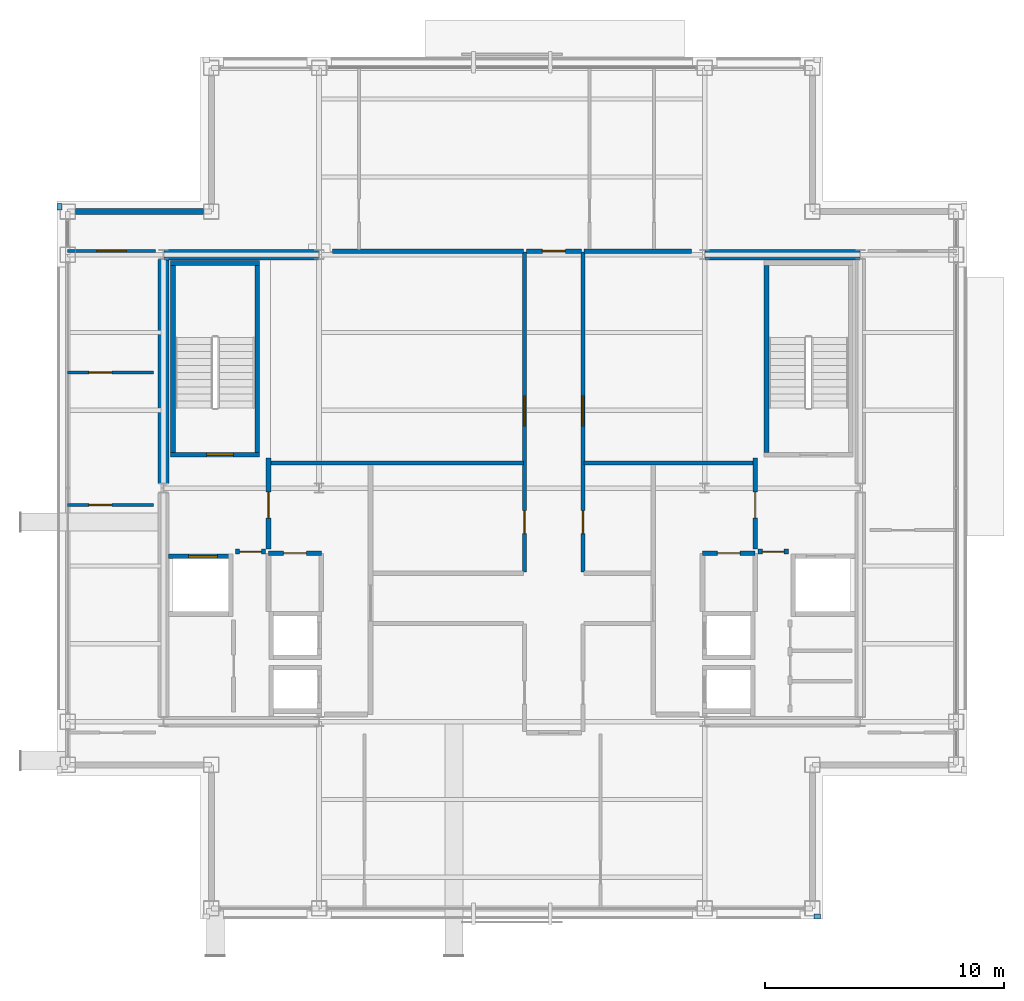
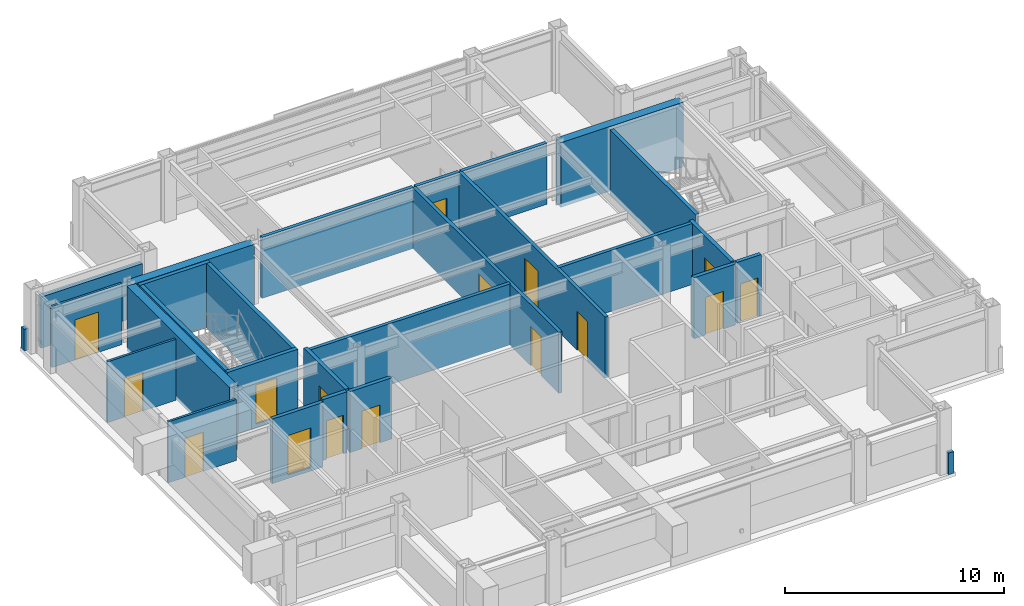
# One storey, part 18 of 20: 28 walls, 16 doors, 16 openings.
"""IFC4 building model written with IfcOpenShell, lengths in metres."""

from ifc_helpers import new_model, si_unit, direction, frame, frame_2d, origin, place, context, subcontext, project, spatial, rectangle, extrude, material, layer, layer_set, type_object, element, fill, save


model = new_model("IFC4")

# Units and contexts
model_context = context("Model", 3, precision=1e-05, world=origin(), true_north=direction((0.0, 1.0)))
body_context = subcontext(model_context, "Body", "Model", "MODEL_VIEW")
ifc_project = project(units=[si_unit("LENGTHUNIT", "METRE"), si_unit("AREAUNIT", "SQUARE_METRE"), si_unit("VOLUMEUNIT", "CUBIC_METRE"), si_unit("PLANEANGLEUNIT", "RADIAN"), si_unit("MASSUNIT", "GRAM", prefix="KILO")], contexts=[model_context])

# Site, building, storey
site_placement = place(None, origin())
site = spatial("IfcSite", under=ifc_project, at=site_placement, CompositionType="ELEMENT")
building_placement = place(site_placement, origin())
building = spatial("IfcBuilding", under=site, at=building_placement, Name="Brelmoor Portico Tower", CompositionType="ELEMENT")
storey_placement = place(building_placement, frame((0.0, 0.0, 243.60009765625)))
storey = spatial("IfcBuildingStorey", under=building, at=storey_placement, Name="L64", CompositionType="ELEMENT", Elevation=243.60009765625)

# Walls
ifc_material_1 = material(Name="Concrete C50", Category="concrete")
ifc_layer_1 = layer(ifc_material_1, 0.449951171875)
ifc_layer_set_1 = layer_set([ifc_layer_1], Name="Concrete C50")
wall_type_1 = type_object("IfcWallType", Name="WL-CORE-450", PredefinedType="SHEAR", material=ifc_layer_set_1)
wall_1_placement = place(storey_placement, frame((-14.530029296875, 9.75, -0.2001953125), z_axis=(0.0, 0.0, 1.0), x_axis=(1.0, 0.0, 0.0)))
element("IfcWall", 1, at=wall_1_placement, inside=storey, type_object=wall_type_1, Name="L64 WC North Shear Wall", PredefinedType="SHEAR", context=body_context, shape_type="SweptSolid", body=[
    extrude(rectangle(XDim=6.4599609375, YDim=0.449951171875, at=frame_2d((3.22998046875, 0.0))), origin(), (0.0, 0.0, 1.0), 3.60009765625),
])
wall_2_placement = place(storey_placement, frame((-14.550048828125, 0.199951171875, -0.2001953125), z_axis=(0.0, 0.0, 1.0), x_axis=(0.0, 1.0, 0.0)))
element("IfcWall", 2, at=wall_2_placement, inside=storey, type_object=wall_type_1, Name="L64 WC Outer North Shear Wall", PredefinedType="SHEAR", context=body_context, shape_type="SweptSolid", body=[
    extrude(rectangle(XDim=9.35009765625, YDim=0.449951171875, at=frame_2d((4.675048828125, 0.0))), origin(), (0.0, 0.0, 1.0), 3.60009765625),
])
wall_3_placement = place(storey_placement, frame((8.070068359375, 9.75, -0.2001953125), z_axis=(0.0, 0.0, 1.0), x_axis=(1.0, 0.0, 0.0)))
element("IfcWall", 3, at=wall_3_placement, inside=storey, type_object=wall_type_1, Name="L64 EC North Shear Wall", PredefinedType="SHEAR", context=body_context, shape_type="SweptSolid", body=[
    extrude(rectangle(XDim=6.4599609375, YDim=0.449951171875, at=frame_2d((3.22998046875, 0.0))), origin(), (0.0, 0.0, 1.0), 3.60009765625),
])
ifc_material_2 = material(Name="Precast Concrete C40 Insulated Facade Wall", Category="concrete")
ifc_layer_2 = layer(ifc_material_2, 0.25)
ifc_layer_set_2 = layer_set([ifc_layer_2], Name="Precast Concrete C40 Insulated Facade Wall")
wall_type_2 = type_object("IfcWallType", Name="WL-EXT-250", PredefinedType="STANDARD", material=ifc_layer_set_2)
wall_4_placement = place(storey_placement, frame((-18.215087890625, 11.550048828125, 0.0), z_axis=(0.0, 0.0, 1.0), x_axis=(1.0, 0.0, 0.0)))
element("IfcWall", 4, at=wall_4_placement, inside=storey, type_object=wall_type_2, Name="L64 Corner Notch Facade Wall NNWH1", PredefinedType="STANDARD", context=body_context, shape_type="SweptSolid", body=[
    extrude(rectangle(XDim=5.330078125, YDim=0.25, at=frame_2d((2.6650390625, 0.0))), origin(), (0.0, 0.0, 1.0), 2.849853515625),
])
ifc_material_3 = material(Name="Concrete C40 Parapet Upstand", Category="concrete")
ifc_layer_3 = layer(ifc_material_3, 0.219970703125)
ifc_layer_set_3 = layer_set([ifc_layer_3], Name="Concrete C40 Parapet Upstand")
wall_type_3 = type_object("IfcWallType", Name="WL-PARAPET-220", PredefinedType="PARAPET", material=ifc_layer_set_3)
for number, where, z_axis, x_axis, name in (
    (5, (12.6201171875, -17.889892578125, 0.0), (0.0, 0.0, 1.0), (1.0, 0.0, 0.0), "L64 Chamfer Vertex Parapet Pier SE1"),
    (6, (-18.889892578125, 11.6201171875, 0.0), (0.0, 0.0, 1.0), (0.0, 1.0, 0.0), "L64 Chamfer Vertex Parapet Pier NW2"),
):
    element("IfcWall", number, at=place(storey_placement, frame(where, z_axis=z_axis, x_axis=x_axis)), inside=storey, type_object=wall_type_3, Name=name, PredefinedType="PARAPET", context=body_context, shape_type="SweptSolid", body=[
        extrude(rectangle(XDim=0.269775390625, YDim=0.219970703125, at=frame_2d((0.134765625, 0.0))), origin(), (0.0, 0.0, 1.0), 1.199951171875),
    ])

# Wall, opening, door
ifc_material_4 = material(Name="Lightweight Gypsum Office Partition", Category="gypsum")
ifc_layer_4 = layer(ifc_material_4, 0.1201171875)
ifc_layer_set_4 = layer_set([ifc_layer_4], Name="Lightweight Gypsum Office Partition")
wall_type_4 = type_object("IfcWallType", Name="WL-PART-120", PredefinedType="PARTITIONING", material=ifc_layer_set_4)
wall_5_placement = place(storey_placement, frame((-18.56005859375, 9.89990234375, 0.0), z_axis=(0.0, 0.0, 1.0), x_axis=(1.0, 0.0, 0.0)))
wall_5 = element("IfcWall", 7, at=wall_5_placement, inside=storey, type_object=wall_type_4, Name="L64 North Wing Suite Wall WL", PredefinedType="PARTITIONING", context=body_context, shape_type="SweptSolid", body=[
    extrude(rectangle(XDim=3.68017578125, YDim=0.1201171875, at=frame_2d((1.840087890625, 0.0))), origin(), (0.0, 0.0, 1.0), 3.39990234375),
])
opening_1_placement = place(wall_5_placement, frame((1.219970703125, 0.0, 0.0)))
opening_1 = element("IfcOpeningElement", 8, at=opening_1_placement, cuts=wall_5, Name="Opening D-SU1", PredefinedType="OPENING", context=body_context, shape_type="SweptSolid", body=[
    extrude(rectangle(XDim=1.239990234375, YDim=2.239990234375, at=frame_2d((0.6201171875, 1.1201171875))), frame((0.0, 0.070068359375, 0.0), z_axis=(0.0, -1.0, 0.0), x_axis=(1.0, 0.0, 0.0)), (0.0, 0.0, 1.0), 0.14013671875),
])
ifc_material_5 = material(Name="Glazed Timber Executive Suite Door", Category="wood")
door_type_1 = type_object("IfcDoorType", Name="DR-SUITE-1200", OperationType="NOTDEFINED", PredefinedType="DOOR", material=ifc_material_5)
door_1_placement = place(opening_1_placement, origin())
door_1 = element("IfcDoor", 9, at=door_1_placement, inside=storey, type_object=door_type_1, Name="D-2654 L64 WL Wing Suite Connecting Door", OperationType="SINGLE_SWING_RIGHT", OverallHeight=2.239990234375, OverallWidth=1.239990234375, PredefinedType="DOOR", context=body_context, shape_type="SweptSolid", body=[
    extrude(rectangle(XDim=1.239990234375, YDim=2.239990234375, at=frame_2d((0.6201171875, 1.1201171875))), frame((0.0, 0.02490234375, 0.0), z_axis=(0.0, -1.0, 0.0), x_axis=(1.0, 0.0, 0.0)), (0.0, 0.0, 1.0), 0.050048828125),
])
fill(opening_1, door_1)

wall_6_placement = place(storey_placement, frame((-18.56005859375, -0.699951171875, 0.0), z_axis=(0.0, 0.0, 1.0), x_axis=(1.0, 0.0, 0.0)))
wall_6 = element("IfcWall", 10, at=wall_6_placement, inside=storey, type_object=wall_type_4, Name="L64 W Wing Partition 1", PredefinedType="PARTITIONING", context=body_context, shape_type="SweptSolid", body=[
    extrude(rectangle(XDim=3.60009765625, YDim=0.1201171875, at=frame_2d((1.800048828125, 0.0))), origin(), (0.0, 0.0, 1.0), 3.39990234375),
])
opening_2_placement = place(wall_6_placement, frame((0.89990234375, 0.0, 0.0)))
opening_2 = element("IfcOpeningElement", 11, at=opening_2_placement, cuts=wall_6, Name="Opening D-IN2", PredefinedType="OPENING", context=body_context, shape_type="SweptSolid", body=[
    extrude(rectangle(XDim=0.9599609375, YDim=2.179931640625, at=frame_2d((0.47998046875, 1.08984375))), frame((0.0, 0.070068359375, 0.0), z_axis=(0.0, -1.0, 0.0), x_axis=(1.0, 0.0, 0.0)), (0.0, 0.0, 1.0), 0.14013671875),
])
ifc_material_6 = material(Name="Lacquered Timber Suite Door", Category="wood")
door_type_2 = type_object("IfcDoorType", Name="DR-INT-950", OperationType="NOTDEFINED", PredefinedType="DOOR", material=ifc_material_6)
door_2_placement = place(opening_2_placement, origin())
door_2 = element("IfcDoor", 12, at=door_2_placement, inside=storey, type_object=door_type_2, Name="D-2663 L64 W Wing Suite Connecting Door 1", OperationType="SINGLE_SWING_LEFT", OverallHeight=2.179931640625, OverallWidth=0.9599609375, PredefinedType="DOOR", context=body_context, shape_type="SweptSolid", body=[
    extrude(rectangle(XDim=0.9599609375, YDim=2.179931640625, at=frame_2d((0.47998046875, 1.08984375))), frame((0.0, 0.02490234375, 0.0), z_axis=(0.0, -1.0, 0.0), x_axis=(1.0, 0.0, 0.0)), (0.0, 0.0, 1.0), 0.050048828125),
])
fill(opening_2, door_2)

wall_7_placement = place(storey_placement, frame((-18.56005859375, 4.83251953125, 0.0), z_axis=(0.0, 0.0, 1.0), x_axis=(1.0, 0.0, 0.0)))
wall_7 = element("IfcWall", 13, at=wall_7_placement, inside=storey, type_object=wall_type_4, Name="L64 W Wing Partition 2", PredefinedType="PARTITIONING", context=body_context, shape_type="SweptSolid", body=[
    extrude(rectangle(XDim=3.60009765625, YDim=0.1201171875, at=frame_2d((1.800048828125, 0.0))), origin(), (0.0, 0.0, 1.0), 3.39990234375),
])
opening_3_placement = place(wall_7_placement, frame((0.89990234375, 0.0, 0.0)))
opening_3 = element("IfcOpeningElement", 14, at=opening_3_placement, cuts=wall_7, Name="Opening D-IN2", PredefinedType="OPENING", context=body_context, shape_type="SweptSolid", body=[
    extrude(rectangle(XDim=0.9599609375, YDim=2.179931640625, at=frame_2d((0.47998046875, 1.08984375))), frame((0.0, 0.070068359375, 0.0), z_axis=(0.0, -1.0, 0.0), x_axis=(1.0, 0.0, 0.0)), (0.0, 0.0, 1.0), 0.14013671875),
])
door_3_placement = place(opening_3_placement, origin())
door_3 = element("IfcDoor", 15, at=door_3_placement, inside=storey, type_object=door_type_2, Name="D-2664 L64 W Wing Suite Connecting Door 2", OperationType="SINGLE_SWING_RIGHT", OverallHeight=2.179931640625, OverallWidth=0.9599609375, PredefinedType="DOOR", context=body_context, shape_type="SweptSolid", body=[
    extrude(rectangle(XDim=0.9599609375, YDim=2.179931640625, at=frame_2d((0.47998046875, 1.08984375))), frame((0.0, 0.02490234375, 0.0), z_axis=(0.0, -1.0, 0.0), x_axis=(1.0, 0.0, 0.0)), (0.0, 0.0, 1.0), 0.050048828125),
])
fill(opening_3, door_3)

# Wall
ifc_material_7 = material(Name="Acoustic Corridor Fire Partition", Category="gypsum")
ifc_layer_5 = layer(ifc_material_7, 0.179931640625)
ifc_layer_set_5 = layer_set([ifc_layer_5], Name="Acoustic Corridor Fire Partition")
wall_type_5 = type_object("IfcWallType", Name="WL-PART-180", PredefinedType="PARTITIONING", material=ifc_layer_set_5)
wall_8_placement = place(storey_placement, frame((-10.050048828125, 1.050048828125, 0.0), z_axis=(0.0, 0.0, 1.0), x_axis=(1.0, 0.0, 0.0)))
element("IfcWall", 16, at=wall_8_placement, inside=storey, type_object=wall_type_5, Name="L64 West Reclaimed Suite South Wall", PredefinedType="PARTITIONING", context=body_context, shape_type="SweptSolid", body=[
    extrude(rectangle(XDim=10.5400390625, YDim=0.179931640625, at=frame_2d((5.27001953125, 0.0))), origin(), (0.0, 0.0, 1.0), 3.39990234375),
])

# Wall, openings, doors
wall_9_placement = place(storey_placement, frame((0.530029296875, -3.5, 0.0), z_axis=(0.0, 0.0, 1.0), x_axis=(0.0, 1.0, 0.0)))
wall_9 = element("IfcWall", 17, at=wall_9_placement, inside=storey, type_object=wall_type_5, Name="L64 Central Cross West Wall", PredefinedType="PARTITIONING", context=body_context, shape_type="SweptSolid", body=[
    extrude(rectangle(XDim=13.360107421875, YDim=0.179931640625, at=frame_2d((6.68017578125, 0.0))), origin(), (0.0, 0.0, 1.0), 3.39990234375),
])
opening_4_placement = place(wall_9_placement, frame((6.10009765625, 0.0, 0.0)))
opening_4 = element("IfcOpeningElement", 18, at=opening_4_placement, cuts=wall_9, Name="Opening D-SU1", PredefinedType="OPENING", context=body_context, shape_type="SweptSolid", body=[
    extrude(rectangle(XDim=1.239990234375, YDim=2.239990234375, at=frame_2d((0.6201171875, 1.1201171875))), frame((0.0, 0.099853515625, 0.0), z_axis=(0.0, -1.0, 0.0), x_axis=(1.0, 0.0, 0.0)), (0.0, 0.0, 1.0), 0.199951171875),
])
opening_5_placement = place(wall_9_placement, frame((1.60009765625, 0.0, 0.0)))
opening_5 = element("IfcOpeningElement", 19, at=opening_5_placement, cuts=wall_9, Name="Opening D-IN2", PredefinedType="OPENING", context=body_context, shape_type="SweptSolid", body=[
    extrude(rectangle(XDim=0.9599609375, YDim=2.179931640625, at=frame_2d((0.47998046875, 1.08984375))), frame((0.0, 0.099853515625, 0.0), z_axis=(0.0, -1.0, 0.0), x_axis=(1.0, 0.0, 0.0)), (0.0, 0.0, 1.0), 0.199951171875),
])
door_4_placement = place(opening_5_placement, origin())
door_4 = element("IfcDoor", 20, at=door_4_placement, inside=storey, type_object=door_type_2, Name="D-2635 L64 Staff Pantry Door", OperationType="SINGLE_SWING_LEFT", OverallHeight=2.179931640625, OverallWidth=0.9599609375, PredefinedType="DOOR", context=body_context, shape_type="SweptSolid", body=[
    extrude(rectangle(XDim=0.9599609375, YDim=2.179931640625, at=frame_2d((0.47998046875, 1.08984375))), frame((0.0, 0.02490234375, 0.0), z_axis=(0.0, -1.0, 0.0), x_axis=(1.0, 0.0, 0.0)), (0.0, 0.0, 1.0), 0.050048828125),
])
fill(opening_5, door_4)
door_5_placement = place(opening_4_placement, origin())
door_5 = element("IfcDoor", 21, at=door_5_placement, inside=storey, type_object=door_type_1, Name="D-2636 L64 West Reclaimed Studio Door", OperationType="SINGLE_SWING_RIGHT", OverallHeight=2.239990234375, OverallWidth=1.239990234375, PredefinedType="DOOR", context=body_context, shape_type="SweptSolid", body=[
    extrude(rectangle(XDim=1.239990234375, YDim=2.239990234375, at=frame_2d((0.6201171875, 1.1201171875))), frame((0.0, 0.02490234375, 0.0), z_axis=(0.0, -1.0, 0.0), x_axis=(1.0, 0.0, 0.0)), (0.0, 0.0, 1.0), 0.050048828125),
])
fill(opening_4, door_5)

# Walls
wall_10_placement = place(storey_placement, frame((-7.5, 9.89990234375, 0.0), z_axis=(0.0, 0.0, 1.0), x_axis=(1.0, 0.0, 0.0)))
element("IfcWall", 22, at=wall_10_placement, inside=storey, type_object=wall_type_5, Name="L64 West Reclaimed Suite North Wall", PredefinedType="PARTITIONING", context=body_context, shape_type="SweptSolid", body=[
    extrude(rectangle(XDim=7.989990234375, YDim=0.179931640625, at=frame_2d((3.9951171875, 0.0))), origin(), (0.0, 0.0, 1.0), 3.39990234375),
])
wall_11_placement = place(storey_placement, frame((3.010009765625, 1.050048828125, 0.0), z_axis=(0.0, 0.0, 1.0), x_axis=(1.0, 0.0, 0.0)))
element("IfcWall", 23, at=wall_11_placement, inside=storey, type_object=wall_type_5, Name="L64 East Suite South Wall", PredefinedType="PARTITIONING", context=body_context, shape_type="SweptSolid", body=[
    extrude(rectangle(XDim=7.050048828125, YDim=0.179931640625, at=frame_2d((3.52490234375, 0.0))), origin(), (0.0, 0.0, 1.0), 3.39990234375),
])

# Wall, openings, doors
wall_12_placement = place(storey_placement, frame((2.969970703125, -3.5, 0.0), z_axis=(0.0, 0.0, 1.0), x_axis=(0.0, 1.0, 0.0)))
wall_12 = element("IfcWall", 24, at=wall_12_placement, inside=storey, type_object=wall_type_5, Name="L64 Central Cross East Wall", PredefinedType="PARTITIONING", context=body_context, shape_type="SweptSolid", body=[
    extrude(rectangle(XDim=13.360107421875, YDim=0.179931640625, at=frame_2d((6.68017578125, 0.0))), origin(), (0.0, 0.0, 1.0), 3.39990234375),
])
opening_6_placement = place(wall_12_placement, frame((6.10009765625, 0.0, 0.0)))
opening_6 = element("IfcOpeningElement", 25, at=opening_6_placement, cuts=wall_12, Name="Opening D-SU1", PredefinedType="OPENING", context=body_context, shape_type="SweptSolid", body=[
    extrude(rectangle(XDim=1.239990234375, YDim=2.239990234375, at=frame_2d((0.6201171875, 1.1201171875))), frame((0.0, 0.099853515625, 0.0), z_axis=(0.0, -1.0, 0.0), x_axis=(1.0, 0.0, 0.0)), (0.0, 0.0, 1.0), 0.199951171875),
])
opening_7_placement = place(wall_12_placement, frame((1.60009765625, 0.0, 0.0)))
opening_7 = element("IfcOpeningElement", 26, at=opening_7_placement, cuts=wall_12, Name="Opening D-IN2", PredefinedType="OPENING", context=body_context, shape_type="SweptSolid", body=[
    extrude(rectangle(XDim=0.9599609375, YDim=2.179931640625, at=frame_2d((0.47998046875, 1.08984375))), frame((0.0, 0.099853515625, 0.0), z_axis=(0.0, -1.0, 0.0), x_axis=(1.0, 0.0, 0.0)), (0.0, 0.0, 1.0), 0.199951171875),
])
door_6_placement = place(opening_7_placement, origin())
door_6 = element("IfcDoor", 27, at=door_6_placement, inside=storey, type_object=door_type_2, Name="D-2631 L64 Client Project Office Door", OperationType="SINGLE_SWING_LEFT", OverallHeight=2.179931640625, OverallWidth=0.9599609375, PredefinedType="DOOR", context=body_context, shape_type="SweptSolid", body=[
    extrude(rectangle(XDim=0.9599609375, YDim=2.179931640625, at=frame_2d((0.47998046875, 1.08984375))), frame((0.0, 0.02490234375, 0.0), z_axis=(0.0, -1.0, 0.0), x_axis=(1.0, 0.0, 0.0)), (0.0, 0.0, 1.0), 0.050048828125),
])
fill(opening_7, door_6)
door_7_placement = place(opening_6_placement, origin())
door_7 = element("IfcDoor", 28, at=door_7_placement, inside=storey, type_object=door_type_1, Name="D-2632 L64 East Reclaimed Studio Door", OperationType="SINGLE_SWING_RIGHT", OverallHeight=2.239990234375, OverallWidth=1.239990234375, PredefinedType="DOOR", context=body_context, shape_type="SweptSolid", body=[
    extrude(rectangle(XDim=1.239990234375, YDim=2.239990234375, at=frame_2d((0.6201171875, 1.1201171875))), frame((0.0, 0.02490234375, 0.0), z_axis=(0.0, -1.0, 0.0), x_axis=(1.0, 0.0, 0.0)), (0.0, 0.0, 1.0), 0.050048828125),
])
fill(opening_6, door_7)

# Wall
wall_13_placement = place(storey_placement, frame((3.010009765625, 9.89990234375, 0.0), z_axis=(0.0, 0.0, 1.0), x_axis=(1.0, 0.0, 0.0)))
element("IfcWall", 29, at=wall_13_placement, inside=storey, type_object=wall_type_5, Name="L64 East Suite North Wall", PredefinedType="PARTITIONING", context=body_context, shape_type="SweptSolid", body=[
    extrude(rectangle(XDim=4.489990234375, YDim=0.179931640625, at=frame_2d((2.2451171875, 0.0))), origin(), (0.0, 0.0, 1.0), 3.39990234375),
])

# Wall, opening, door
wall_14_placement = place(storey_placement, frame((0.60009765625, 9.89990234375, 0.0), z_axis=(0.0, 0.0, 1.0), x_axis=(1.0, 0.0, 0.0)))
wall_14 = element("IfcWall", 30, at=wall_14_placement, inside=storey, type_object=wall_type_5, Name="L64 North Corridor Partition", PredefinedType="PARTITIONING", context=body_context, shape_type="SweptSolid", body=[
    extrude(rectangle(XDim=2.2998046875, YDim=0.179931640625, at=frame_2d((1.14990234375, 0.0))), origin(), (0.0, 0.0, 1.0), 3.39990234375),
])
opening_8_placement = place(wall_14_placement, frame((0.669921875, 0.0, 0.0)))
opening_8 = element("IfcOpeningElement", 31, at=opening_8_placement, cuts=wall_14, Name="Opening D-IN2", PredefinedType="OPENING", context=body_context, shape_type="SweptSolid", body=[
    extrude(rectangle(XDim=0.9599609375, YDim=2.179931640625, at=frame_2d((0.47998046875, 1.08984375))), frame((0.0, 0.099853515625, 0.0), z_axis=(0.0, -1.0, 0.0), x_axis=(1.0, 0.0, 0.0)), (0.0, 0.0, 1.0), 0.199951171875),
])
door_8_placement = place(opening_8_placement, origin())
door_8 = element("IfcDoor", 32, at=door_8_placement, inside=storey, type_object=door_type_2, Name="D-2649 L64 North Design Workshop 2 Door", OperationType="SINGLE_SWING_LEFT", OverallHeight=2.179931640625, OverallWidth=0.9599609375, PredefinedType="DOOR", context=body_context, shape_type="SweptSolid", body=[
    extrude(rectangle(XDim=0.9599609375, YDim=2.179931640625, at=frame_2d((0.47998046875, 1.08984375))), frame((0.0, 0.02490234375, 0.0), z_axis=(0.0, -1.0, 0.0), x_axis=(1.0, 0.0, 0.0)), (0.0, 0.0, 1.0), 0.050048828125),
])
fill(opening_8, door_8)

ifc_material_8 = material(Name="Double-Stud Gypsum Fire Partition", Category="gypsum")
ifc_layer_6 = layer(ifc_material_8, 0.199951171875)
ifc_layer_set_6 = layer_set([ifc_layer_6], Name="Double-Stud Gypsum Fire Partition")
wall_type_6 = type_object("IfcWallType", Name="WL-PART-200", PredefinedType="PARTITIONING", material=ifc_layer_set_6)
wall_15_placement = place(storey_placement, frame((-10.159912109375, -2.550048828125, 0.0), z_axis=(0.0, 0.0, 1.0), x_axis=(0.0, 1.0, 0.0)))
wall_15 = element("IfcWall", 33, at=wall_15_placement, inside=storey, type_object=wall_type_6, Name="L64 W Firefighting Lobby Wall", PredefinedType="PARTITIONING", context=body_context, shape_type="SweptSolid", body=[
    extrude(rectangle(XDim=3.800048828125, YDim=0.199951171875, at=frame_2d((1.89990234375, 0.0))), origin(), (0.0, 0.0, 1.0), 3.39990234375),
])
opening_9_placement = place(wall_15_placement, frame((1.300048828125, 0.0, 0.0)))
opening_9 = element("IfcOpeningElement", 34, at=opening_9_placement, cuts=wall_15, Name="Opening D-FR1", PredefinedType="OPENING", context=body_context, shape_type="SweptSolid", body=[
    extrude(rectangle(XDim=1.10009765625, YDim=2.14990234375, at=frame_2d((0.550048828125, 1.074951171875))), frame((0.0, 0.10986328125, 0.0), z_axis=(0.0, -1.0, 0.0), x_axis=(1.0, 0.0, 0.0)), (0.0, 0.0, 1.0), 0.219970703125),
])
ifc_material_9 = material(Name="Painted Galvanised Steel Fire Door", Category="steel")
door_type_3 = type_object("IfcDoorType", Name="DR-FIRE-1100", OperationType="NOTDEFINED", PredefinedType="DOOR", material=ifc_material_9)
door_9_placement = place(opening_9_placement, origin())
door_9 = element("IfcDoor", 35, at=door_9_placement, inside=storey, type_object=door_type_3, Name="D-2646 L64 W Firefighting Lobby Door", OperationType="SINGLE_SWING_RIGHT", OverallHeight=2.14990234375, OverallWidth=1.10009765625, PredefinedType="DOOR", context=body_context, shape_type="SweptSolid", body=[
    extrude(rectangle(XDim=1.10009765625, YDim=2.14990234375, at=frame_2d((0.550048828125, 1.074951171875))), frame((0.0, 0.02490234375, 0.0), z_axis=(0.0, -1.0, 0.0), x_axis=(1.0, 0.0, 0.0)), (0.0, 0.0, 1.0), 0.050048828125),
])
fill(opening_9, door_9)

wall_16_placement = place(storey_placement, frame((-10.280029296875, -2.64990234375, 0.0), z_axis=(0.0, 0.0, 1.0), x_axis=(-1.0, 0.0, 0.0)))
wall_16 = element("IfcWall", 36, at=wall_16_placement, inside=storey, type_object=wall_type_6, Name="L64 W Firefighting Lobby South Wall", PredefinedType="PARTITIONING", context=body_context, shape_type="SweptSolid", body=[
    extrude(rectangle(XDim=1.27001953125, YDim=0.199951171875, at=frame_2d((0.635009765625, 0.0))), origin(), (0.0, 0.0, 1.0), 3.39990234375),
])
opening_10_placement = place(wall_16_placement, frame((0.18505859375, 0.0, 0.0)))
opening_10 = element("IfcOpeningElement", 37, at=opening_10_placement, cuts=wall_16, Name="Opening D-IN1", PredefinedType="OPENING", context=body_context, shape_type="SweptSolid", body=[
    extrude(rectangle(XDim=0.89990234375, YDim=2.14990234375, at=frame_2d((0.449951171875, 1.074951171875))), frame((0.0, 0.10986328125, 0.0), z_axis=(0.0, -1.0, 0.0), x_axis=(1.0, 0.0, 0.0)), (0.0, 0.0, 1.0), 0.219970703125),
])
door_type_4 = type_object("IfcDoorType", Name="DR-INT-900", OperationType="NOTDEFINED", PredefinedType="DOOR", material=ifc_material_6)
door_10_placement = place(opening_10_placement, origin())
door_10 = element("IfcDoor", 38, at=door_10_placement, inside=storey, type_object=door_type_4, Name="D-2641 L64 W Core Service Vestibule Door", OperationType="SINGLE_SWING_LEFT", OverallHeight=2.14990234375, OverallWidth=0.89990234375, PredefinedType="DOOR", context=body_context, shape_type="SweptSolid", body=[
    extrude(rectangle(XDim=0.89990234375, YDim=2.14990234375, at=frame_2d((0.449951171875, 1.074951171875))), frame((0.0, 0.02490234375, 0.0), z_axis=(0.0, -1.0, 0.0), x_axis=(1.0, 0.0, 0.0)), (0.0, 0.0, 1.0), 0.050048828125),
])
fill(opening_10, door_10)

wall_17_placement = place(storey_placement, frame((-7.9599609375, -2.719970703125, 0.0), z_axis=(0.0, 0.0, 1.0), x_axis=(-1.0, 0.0, 0.0)))
wall_17 = element("IfcWall", 39, at=wall_17_placement, inside=storey, type_object=wall_type_6, Name="L64 W Electrical Switchgear Closet Wall", PredefinedType="PARTITIONING", context=body_context, shape_type="SweptSolid", body=[
    extrude(rectangle(XDim=2.199951171875, YDim=0.199951171875, at=frame_2d((1.10009765625, 0.0))), origin(), (0.0, 0.0, 1.0), 3.39990234375),
])
opening_11_placement = place(wall_17_placement, frame((0.6201171875, 0.0, 0.0)))
opening_11 = element("IfcOpeningElement", 40, at=opening_11_placement, cuts=wall_17, Name="Opening D-FR4", PredefinedType="OPENING", context=body_context, shape_type="SweptSolid", body=[
    extrude(rectangle(XDim=0.949951171875, YDim=2.10009765625, at=frame_2d((0.47509765625, 1.050048828125))), frame((0.0, 0.10986328125, 0.0), z_axis=(0.0, -1.0, 0.0), x_axis=(1.0, 0.0, 0.0)), (0.0, 0.0, 1.0), 0.219970703125),
])
ifc_material_10 = material(Name="Painted Galvanised Steel Riser Door", Category="steel")
door_type_5 = type_object("IfcDoorType", Name="DR-FIRE-950", OperationType="NOTDEFINED", PredefinedType="DOOR", material=ifc_material_10)
door_11_placement = place(opening_11_placement, origin())
door_11 = element("IfcDoor", 41, at=door_11_placement, inside=storey, type_object=door_type_5, Name="D-2644 L64 W Electrical Switchgear Closet Door", OperationType="SINGLE_SWING_RIGHT", OverallHeight=2.10009765625, OverallWidth=0.949951171875, PredefinedType="DOOR", context=body_context, shape_type="SweptSolid", body=[
    extrude(rectangle(XDim=0.949951171875, YDim=2.10009765625, at=frame_2d((0.47509765625, 1.050048828125))), frame((0.0, 0.02490234375, 0.0), z_axis=(0.0, -1.0, 0.0), x_axis=(1.0, 0.0, 0.0)), (0.0, 0.0, 1.0), 0.050048828125),
])
fill(opening_11, door_11)

wall_18_placement = place(storey_placement, frame((10.159912109375, -2.550048828125, 0.0), z_axis=(0.0, 0.0, 1.0), x_axis=(0.0, 1.0, 0.0)))
wall_18 = element("IfcWall", 42, at=wall_18_placement, inside=storey, type_object=wall_type_6, Name="L64 E Firefighting Lobby Wall", PredefinedType="PARTITIONING", context=body_context, shape_type="SweptSolid", body=[
    extrude(rectangle(XDim=3.800048828125, YDim=0.199951171875, at=frame_2d((1.89990234375, 0.0))), origin(), (0.0, 0.0, 1.0), 3.39990234375),
])
opening_12_placement = place(wall_18_placement, frame((1.300048828125, 0.0, 0.0)))
opening_12 = element("IfcOpeningElement", 43, at=opening_12_placement, cuts=wall_18, Name="Opening D-FR1", PredefinedType="OPENING", context=body_context, shape_type="SweptSolid", body=[
    extrude(rectangle(XDim=1.10009765625, YDim=2.14990234375, at=frame_2d((0.550048828125, 1.074951171875))), frame((0.0, 0.10986328125, 0.0), z_axis=(0.0, -1.0, 0.0), x_axis=(1.0, 0.0, 0.0)), (0.0, 0.0, 1.0), 0.219970703125),
])
door_12_placement = place(opening_12_placement, origin())
door_12 = element("IfcDoor", 44, at=door_12_placement, inside=storey, type_object=door_type_3, Name="D-2645 L64 E Firefighting Lobby Door", OperationType="SINGLE_SWING_RIGHT", OverallHeight=2.14990234375, OverallWidth=1.10009765625, PredefinedType="DOOR", context=body_context, shape_type="SweptSolid", body=[
    extrude(rectangle(XDim=1.10009765625, YDim=2.14990234375, at=frame_2d((0.550048828125, 1.074951171875))), frame((0.0, 0.02490234375, 0.0), z_axis=(0.0, -1.0, 0.0), x_axis=(1.0, 0.0, 0.0)), (0.0, 0.0, 1.0), 0.050048828125),
])
fill(opening_12, door_12)

wall_19_placement = place(storey_placement, frame((10.280029296875, -2.64990234375, 0.0), z_axis=(0.0, 0.0, 1.0), x_axis=(1.0, 0.0, 0.0)))
wall_19 = element("IfcWall", 45, at=wall_19_placement, inside=storey, type_object=wall_type_6, Name="L64 E Firefighting Lobby South Wall", PredefinedType="PARTITIONING", context=body_context, shape_type="SweptSolid", body=[
    extrude(rectangle(XDim=1.27001953125, YDim=0.199951171875, at=frame_2d((0.635009765625, 0.0))), origin(), (0.0, 0.0, 1.0), 3.39990234375),
])
opening_13_placement = place(wall_19_placement, frame((0.18505859375, 0.0, 0.0)))
opening_13 = element("IfcOpeningElement", 46, at=opening_13_placement, cuts=wall_19, Name="Opening D-IN1", PredefinedType="OPENING", context=body_context, shape_type="SweptSolid", body=[
    extrude(rectangle(XDim=0.89990234375, YDim=2.14990234375, at=frame_2d((0.449951171875, 1.074951171875))), frame((0.0, 0.10986328125, 0.0), z_axis=(0.0, -1.0, 0.0), x_axis=(1.0, 0.0, 0.0)), (0.0, 0.0, 1.0), 0.219970703125),
])
door_13_placement = place(opening_13_placement, origin())
door_13 = element("IfcDoor", 47, at=door_13_placement, inside=storey, type_object=door_type_4, Name="D-2640 L64 E Core Service Vestibule Door", OperationType="SINGLE_SWING_LEFT", OverallHeight=2.14990234375, OverallWidth=0.89990234375, PredefinedType="DOOR", context=body_context, shape_type="SweptSolid", body=[
    extrude(rectangle(XDim=0.89990234375, YDim=2.14990234375, at=frame_2d((0.449951171875, 1.074951171875))), frame((0.0, 0.02490234375, 0.0), z_axis=(0.0, -1.0, 0.0), x_axis=(1.0, 0.0, 0.0)), (0.0, 0.0, 1.0), 0.050048828125),
])
fill(opening_13, door_13)

wall_20_placement = place(storey_placement, frame((7.9599609375, -2.719970703125, 0.0), z_axis=(0.0, 0.0, 1.0), x_axis=(1.0, 0.0, 0.0)))
wall_20 = element("IfcWall", 48, at=wall_20_placement, inside=storey, type_object=wall_type_6, Name="L64 E Electrical Switchgear Closet Wall", PredefinedType="PARTITIONING", context=body_context, shape_type="SweptSolid", body=[
    extrude(rectangle(XDim=2.199951171875, YDim=0.199951171875, at=frame_2d((1.10009765625, 0.0))), origin(), (0.0, 0.0, 1.0), 3.39990234375),
])
opening_14_placement = place(wall_20_placement, frame((0.6201171875, 0.0, 0.0)))
opening_14 = element("IfcOpeningElement", 49, at=opening_14_placement, cuts=wall_20, Name="Opening D-FR4", PredefinedType="OPENING", context=body_context, shape_type="SweptSolid", body=[
    extrude(rectangle(XDim=0.949951171875, YDim=2.10009765625, at=frame_2d((0.47509765625, 1.050048828125))), frame((0.0, 0.10986328125, 0.0), z_axis=(0.0, -1.0, 0.0), x_axis=(1.0, 0.0, 0.0)), (0.0, 0.0, 1.0), 0.219970703125),
])
door_14_placement = place(opening_14_placement, origin())
door_14 = element("IfcDoor", 50, at=door_14_placement, inside=storey, type_object=door_type_5, Name="D-2643 L64 E Electrical Switchgear Closet Door", OperationType="SINGLE_SWING_RIGHT", OverallHeight=2.10009765625, OverallWidth=0.949951171875, PredefinedType="DOOR", context=body_context, shape_type="SweptSolid", body=[
    extrude(rectangle(XDim=0.949951171875, YDim=2.10009765625, at=frame_2d((0.47509765625, 1.050048828125))), frame((0.0, 0.02490234375, 0.0), z_axis=(0.0, -1.0, 0.0), x_axis=(1.0, 0.0, 0.0)), (0.0, 0.0, 1.0), 0.050048828125),
])
fill(opening_14, door_14)

ifc_material_11 = material(Name="Precast Concrete C40", Category="concrete")
ifc_layer_7 = layer(ifc_material_11, 0.18994140625)
ifc_layer_set_7 = layer_set([ifc_layer_7], Name="Precast Concrete C40")
wall_type_7 = type_object("IfcWallType", Name="WL-SHAFT-180", PredefinedType="SOLIDWALL", material=ifc_layer_set_7)
wall_21_placement = place(storey_placement, frame((-14.330078125, -2.844970703125, -0.2001953125), z_axis=(0.0, 0.0, 1.0), x_axis=(1.0, 0.0, 0.0)))
wall_21 = element("IfcWall", 51, at=wall_21_placement, inside=storey, type_object=wall_type_7, Name="L64 Lift FF1 Hoistway Front Wall", PredefinedType="SOLIDWALL", context=body_context, shape_type="SweptSolid", body=[
    extrude(rectangle(XDim=2.68017578125, YDim=0.18994140625, at=frame_2d((1.340087890625, 0.0))), origin(), (0.0, 0.0, 1.0), 3.60009765625),
])
opening_15_placement = place(wall_21_placement, frame((0.830078125, 0.0, 0.199951171875)))
opening_15 = element("IfcOpeningElement", 52, at=opening_15_placement, cuts=wall_21, Name="Opening LD-02", PredefinedType="OPENING", context=body_context, shape_type="SweptSolid", body=[
    extrude(rectangle(XDim=1.199951171875, YDim=2.199951171875, at=frame_2d((0.60009765625, 1.10009765625))), frame((0.0, 0.10498046875, 0.0), z_axis=(0.0, -1.0, 0.0), x_axis=(1.0, 0.0, 0.0)), (0.0, 0.0, 1.0), 0.2099609375),
])
ifc_material_12 = material(Name="Brushed Stainless Steel Firefighting Lift Door", Category="steel")
door_type_6 = type_object("IfcDoorType", Name="DR-LIFT-1200", OperationType="NOTDEFINED", PredefinedType="DOOR", material=ifc_material_12)
door_15_placement = place(opening_15_placement, origin())
door_15 = element("IfcDoor", 53, at=door_15_placement, inside=storey, type_object=door_type_6, Name="D-2665 L64 Lift FF1 Sliding Landing Door", OperationType="SLIDING_TO_LEFT", OverallHeight=2.199951171875, OverallWidth=1.199951171875, PredefinedType="DOOR", context=body_context, shape_type="SweptSolid", body=[
    extrude(rectangle(XDim=1.199951171875, YDim=2.199951171875, at=frame_2d((0.60009765625, 1.10009765625))), frame((0.0, 0.02490234375, 0.0), z_axis=(0.0, -1.0, 0.0), x_axis=(1.0, 0.0, 0.0)), (0.0, 0.0, 1.0), 0.050048828125),
])
fill(opening_15, door_15)

# Wall
ifc_material_13 = material(Name="Concrete C40", Category="concrete")
ifc_layer_8 = layer(ifc_material_13, 0.199951171875)
ifc_layer_set_8 = layer_set([ifc_layer_8], Name="Concrete C40")
wall_type_8 = type_object("IfcWallType", Name="WL-SHAFT-RC200", PredefinedType="SOLIDWALL", material=ifc_layer_set_8)
wall_22_placement = place(storey_placement, frame((-14.14990234375, 1.5, -0.2001953125), z_axis=(0.0, 0.0, 1.0), x_axis=(0.0, 1.0, 0.0)))
element("IfcWall", 54, at=wall_22_placement, inside=storey, type_object=wall_type_8, Name="L64 ST-W Structural Stair Wall Outer", PredefinedType="SOLIDWALL", context=body_context, shape_type="SweptSolid", body=[
    extrude(rectangle(XDim=7.800048828125, YDim=0.199951171875, at=frame_2d((3.89990234375, 0.0))), origin(), (0.0, 0.0, 1.0), 3.60009765625),
])

# Wall, opening, door
wall_23_placement = place(storey_placement, frame((-14.25, 1.39990234375, -0.2001953125), z_axis=(0.0, 0.0, 1.0), x_axis=(1.0, 0.0, 0.0)))
wall_23 = element("IfcWall", 55, at=wall_23_placement, inside=storey, type_object=wall_type_8, Name="L64 ST-W Structural Stair Wall S", PredefinedType="SOLIDWALL", context=body_context, shape_type="SweptSolid", body=[
    extrude(rectangle(XDim=3.719970703125, YDim=0.199951171875, at=frame_2d((1.85986328125, 0.0))), origin(), (0.0, 0.0, 1.0), 3.60009765625),
])
opening_16_placement = place(wall_23_placement, frame((1.5, 0.0, 0.199951171875)))
opening_16 = element("IfcOpeningElement", 56, at=opening_16_placement, cuts=wall_23, Name="Opening D-ST1", PredefinedType="OPENING", context=body_context, shape_type="SweptSolid", body=[
    extrude(rectangle(XDim=1.1201171875, YDim=2.179931640625, at=frame_2d((0.56005859375, 1.08984375))), frame((0.0, 0.10986328125, 0.0), z_axis=(0.0, -1.0, 0.0), x_axis=(1.0, 0.0, 0.0)), (0.0, 0.0, 1.0), 0.219970703125),
])
door_type_7 = type_object("IfcDoorType", Name="DR-STAIR-1100", OperationType="NOTDEFINED", PredefinedType="DOOR", material=ifc_material_9)
door_16_placement = place(opening_16_placement, origin())
door_16 = element("IfcDoor", 57, at=door_16_placement, inside=storey, type_object=door_type_7, Name="D-2659 L64 ST-W Protected Exit Stair Door", OperationType="SINGLE_SWING_LEFT", OverallHeight=2.179931640625, OverallWidth=1.1201171875, PredefinedType="DOOR", context=body_context, shape_type="SweptSolid", body=[
    extrude(rectangle(XDim=1.1201171875, YDim=2.179931640625, at=frame_2d((0.56005859375, 1.08984375))), frame((0.0, 0.02490234375, 0.0), z_axis=(0.0, -1.0, 0.0), x_axis=(1.0, 0.0, 0.0)), (0.0, 0.0, 1.0), 0.050048828125),
])
fill(opening_16, door_16)

# Walls
wall_24_placement = place(storey_placement, frame((-14.25, 9.39990234375, -0.2001953125), z_axis=(0.0, 0.0, 1.0), x_axis=(1.0, 0.0, 0.0)))
element("IfcWall", 58, at=wall_24_placement, inside=storey, type_object=wall_type_8, Name="L64 ST-W Structural Stair Wall N", PredefinedType="SOLIDWALL", context=body_context, shape_type="SweptSolid", body=[
    extrude(rectangle(XDim=3.719970703125, YDim=0.199951171875, at=frame_2d((1.85986328125, 0.0))), origin(), (0.0, 0.0, 1.0), 3.60009765625),
])
for number, where, z_axis, x_axis, name in (
    (59, (-10.6298828125, 1.5, -0.2001953125), (0.0, 0.0, 1.0), (0.0, 1.0, 0.0), "L64 ST-W Structural Stair Wall Inner"),
    (60, (10.6298828125, 1.5, -0.2001953125), (0.0, 0.0, 1.0), (0.0, 1.0, 0.0), "L64 ST-E Structural Stair Wall Inner"),
):
    element("IfcWall", number, at=place(storey_placement, frame(where, z_axis=z_axis, x_axis=x_axis)), inside=storey, type_object=wall_type_8, Name=name, PredefinedType="SOLIDWALL", context=body_context, shape_type="SweptSolid", body=[
        extrude(rectangle(XDim=7.800048828125, YDim=0.199951171875, at=frame_2d((3.89990234375, 0.0))), origin(), (0.0, 0.0, 1.0), 3.60009765625),
    ])

save(model, "model.ifc")
